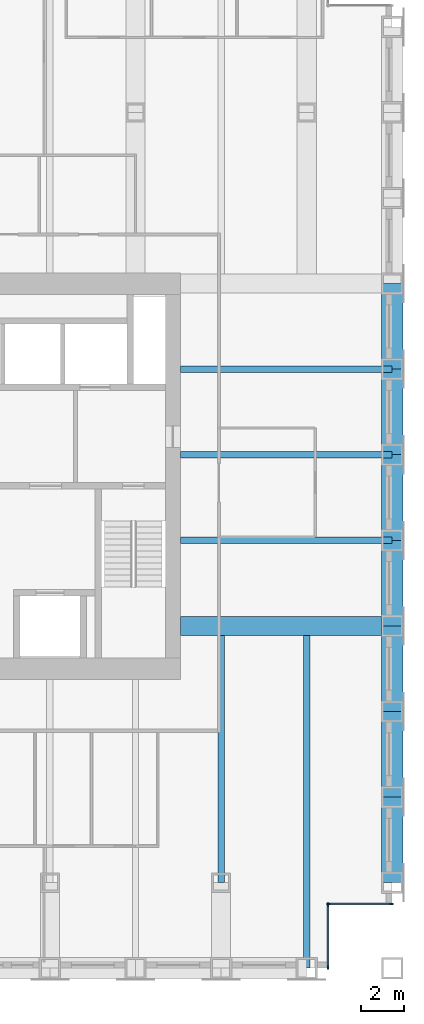
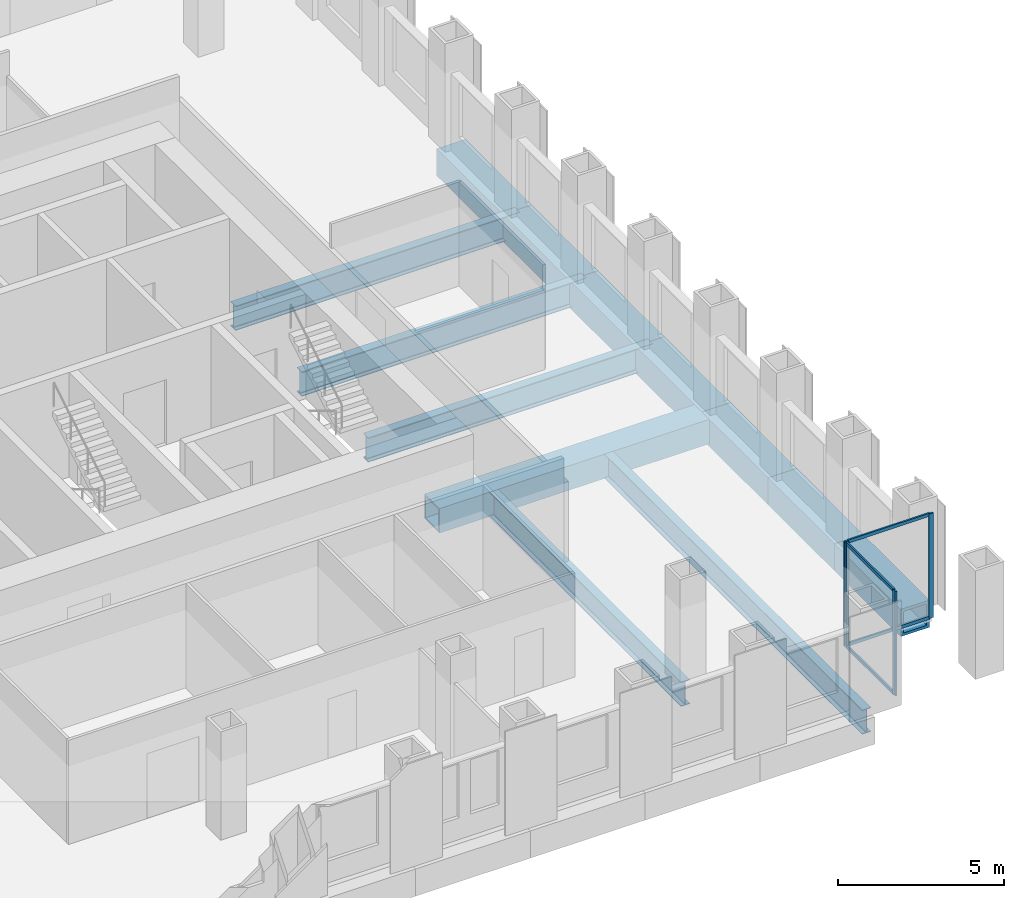
# One storey, part 4 of 12: 13 beams, 8 members, 2 elements without a shape of their own.
"""IFC4 building model written with IfcOpenShell, lengths in metres."""

from ifc_helpers import new_model, si_unit, direction, frame, origin, origin_2d, place, context, subcontext, project, spatial, rectangle, hollow_rectangle, i_section, extrude, material, material_profile, profile_set, type_object, element, aggregate, save


model = new_model("IFC4")

# Units and contexts
model_context = context("Model", 3, precision=1e-05, world=origin(), true_north=direction((0.0, 1.0)))
body_context = subcontext(model_context, "Body", "Model", "MODEL_VIEW")
ifc_project = project(units=[si_unit("LENGTHUNIT", "METRE"), si_unit("AREAUNIT", "SQUARE_METRE"), si_unit("VOLUMEUNIT", "CUBIC_METRE"), si_unit("PLANEANGLEUNIT", "RADIAN"), si_unit("MASSUNIT", "GRAM", prefix="KILO")], contexts=[model_context])

# Site, building, storey
site_placement = place(None, origin())
site = spatial("IfcSite", under=ifc_project, at=site_placement, CompositionType="ELEMENT")
building_placement = place(site_placement, origin())
building = spatial("IfcBuilding", under=site, at=building_placement, Name="Rimbunsela Tower", CompositionType="ELEMENT")
storey_placement = place(building_placement, frame((0.0, 0.0, 159.800048828125)))
storey = spatial("IfcBuildingStorey", under=building, at=storey_placement, Name="L38", CompositionType="ELEMENT", Elevation=159.800048828125)

# Beams
ifc_material_1 = material(Name="Steel BJ 55 (fy 410 MPa)", Category="steel")
ifc_material_profile_1 = material_profile(ifc_material_1, hollow_rectangle(XDim=1.0, YDim=1.0, WallThickness=0.10009765625, at=origin_2d()), Name="BOX 1000x1000x100")
ifc_profile_set_1 = profile_set([ifc_material_profile_1], Name="Steel BJ 55 (fy 410 MPa)")
beam_type_1 = type_object("IfcBeamType", Name="Beam BOX 1000x1000x100", PredefinedType="BEAM", material=ifc_profile_set_1)
for number, where, z_axis, x_axis, name in (
    (1, (46.0, 8.0, -0.650146484375), (0.0, 1.0, 0.0), (-1.0, 0.0, 0.0), "Beam B3 L38"),
    (2, (46.0, 12.0, -0.650146484375), (0.0, 1.0, 0.0), (-1.0, 0.0, 0.0), "Beam B3 L38"),
    (3, (46.0, 16.0, -0.650146484375), (0.0, 1.0, 0.0), (-1.0, 0.0, 0.0), "Beam B3 L38"),
    (4, (46.0, 20.0, -0.650146484375), (0.0, 1.0, 0.0), (-1.0, 0.0, 0.0), "Beam B3 L38"),
    (5, (46.0, 24.0, -0.650146484375), (0.0, 1.0, 0.0), (-1.0, 0.0, 0.0), "Beam B3 L38"),
    (6, (46.0, 28.0, -0.650146484375), (0.0, 1.0, 0.0), (-1.0, 0.0, 0.0), "Beam B3 L38"),
    (7, (46.0, 32.0, -0.650146484375), (0.0, 1.0, 0.0), (-1.0, 0.0, 0.0), "Beam B3 L38"),
):
    element("IfcBeam", number, at=place(storey_placement, frame(where, z_axis=z_axis, x_axis=x_axis)), inside=storey, type_object=beam_type_1, Name=name, PredefinedType="BEAM", context=body_context, shape_type="SweptSolid", body=[
        extrude(hollow_rectangle(XDim=1.0, YDim=1.0, WallThickness=0.10009765625, at=origin_2d()), origin(), (0.0, 0.0, 1.0), 4.0),
    ])
ifc_material_2 = material(Name="Steel BJ 55 (fy 410 MPa)", Category="steel")
ifc_material_profile_2 = material_profile(ifc_material_2, hollow_rectangle(XDim=0.89990234375, YDim=0.89990234375, WallThickness=0.06005859375, at=origin_2d()), Name="BOX 900x900x60")
ifc_profile_set_2 = profile_set([ifc_material_profile_2], Name="Steel BJ 55 (fy 410 MPa)")
beam_type_2 = type_object("IfcBeamType", Name="Beam BOX 900x900x60", PredefinedType="BEAM", material=ifc_profile_set_2)
beam_1_placement = place(storey_placement, frame((36.10009765625, 20.0, -0.60009765625), z_axis=(1.0, 0.0, 0.0), x_axis=(0.0, 1.0, 0.0)))
element("IfcBeam", 8, at=beam_1_placement, inside=storey, type_object=beam_type_2, Name="Beam B1 L38", PredefinedType="BEAM", context=body_context, shape_type="SweptSolid", body=[
    extrude(hollow_rectangle(XDim=0.89990234375, YDim=0.89990234375, WallThickness=0.06005859375, at=origin_2d()), origin(), (0.0, 0.0, 1.0), 9.89990234375),
])
ifc_material_3 = material(Name="Steel BJ 55 (fy 410 MPa)", Category="steel")
ifc_material_profile_3 = material_profile(ifc_material_3, i_section(OverallWidth=0.300048828125, OverallDepth=0.89990234375, WebThickness=0.01611328125, FlangeThickness=0.028076171875, FilletRadius=0.028076171875, at=origin_2d()), Name="H 900x300x16x28")
ifc_profile_set_3 = profile_set([ifc_material_profile_3], Name="Steel BJ 55 (fy 410 MPa)")
beam_type_3 = type_object("IfcBeamType", Name="Beam H 900x300x16x28", PredefinedType="BEAM", material=ifc_profile_set_3)
for number, where, z_axis, x_axis, name in (
    (9, (36.10009765625, 24.0, -0.60009765625), (1.0, 0.0, 0.0), (0.0, 1.0, 0.0), "Beam B2 L38"),
    (10, (36.10009765625, 28.0, -0.60009765625), (1.0, 0.0, 0.0), (0.0, 1.0, 0.0), "Beam B2 L38"),
    (11, (36.10009765625, 32.0, -0.60009765625), (1.0, 0.0, 0.0), (0.0, 1.0, 0.0), "Beam B2 L38"),
):
    element("IfcBeam", number, at=place(storey_placement, frame(where, z_axis=z_axis, x_axis=x_axis)), inside=storey, type_object=beam_type_3, Name=name, PredefinedType="BEAM", context=body_context, shape_type="SweptSolid", body=[
        extrude(i_section(OverallWidth=0.300048828125, OverallDepth=0.89990234375, WebThickness=0.01611328125, FlangeThickness=0.028076171875, FilletRadius=0.028076171875, at=origin_2d()), origin(), (0.0, 0.0, 1.0), 9.89990234375),
    ])
beam_2_placement = place(storey_placement, frame((38.0, 8.0, -0.60009765625), z_axis=(0.0, 1.0, 0.0), x_axis=(-1.0, 0.0, 0.0)))
element("IfcBeam", 12, at=beam_2_placement, inside=storey, type_object=beam_type_3, Name="Beam B2 L38", PredefinedType="BEAM", context=body_context, shape_type="SweptSolid", body=[
    extrude(i_section(OverallWidth=0.300048828125, OverallDepth=0.89990234375, WebThickness=0.01611328125, FlangeThickness=0.028076171875, FilletRadius=0.028076171875, at=origin_2d()), origin(), (0.0, 0.0, 1.0), 11.550048828125),
])
beam_3_placement = place(storey_placement, frame((42.0, 4.0, -0.60009765625), z_axis=(0.0, 1.0, 0.0), x_axis=(-1.0, 0.0, 0.0)))
element("IfcBeam", 13, at=beam_3_placement, inside=storey, type_object=beam_type_3, Name="Beam B2 L38", PredefinedType="BEAM", context=body_context, shape_type="SweptSolid", body=[
    extrude(i_section(OverallWidth=0.300048828125, OverallDepth=0.89990234375, WebThickness=0.01611328125, FlangeThickness=0.028076171875, FilletRadius=0.028076171875, at=origin_2d()), origin(), (0.0, 0.0, 1.0), 15.550048828125),
])

# Curtain wall, members
ifc_material_4 = material(Name="Aluminium curtain wall", Category="aluminium")
curtain_wall_type = type_object("IfcCurtainWallType", Name="Corner glazing", PredefinedType="USERDEFINED", material=ifc_material_4)
curtain_wall_1_placement = place(storey_placement, origin())
curtain_wall_1 = element("IfcCurtainWall", 14, at=curtain_wall_1_placement, inside=storey, type_object=curtain_wall_type, Name="Corner glazing L38", ObjectType="CORNER GLAZING", PredefinedType="USERDEFINED")
ifc_material_5 = material(Name="Aluminium mullion", Category="aluminium")
ifc_material_profile_4 = material_profile(ifc_material_5, rectangle(XDim=0.06005859375, YDim=0.159912109375, at=origin_2d()), Name="Mullion 60x160")
ifc_profile_set_4 = profile_set([ifc_material_profile_4], Name="Aluminium mullion")
member_type_1 = type_object("IfcMemberType", Name="Curtain wall mullion 60x160", PredefinedType="MULLION", material=ifc_profile_set_4)
member_1_placement = place(storey_placement, frame((43.0, 4.030029296875, 0.0), z_axis=(0.0, 0.0, 1.0), x_axis=(-1.0, 0.0, 0.0)))
member_1 = element("IfcMember", 15, at=member_1_placement, type_object=member_type_1, Name="CW5 mullion 1", PredefinedType="MULLION", context=body_context, shape_type="SweptSolid", body=[
    extrude(rectangle(XDim=0.06005859375, YDim=0.159912109375, at=origin_2d()), origin(), (0.0, 0.0, 1.0), 3.849853515625),
])
member_2_placement = place(storey_placement, frame((43.0, 6.969970703125, 0.0), z_axis=(0.0, 0.0, 1.0), x_axis=(-1.0, 0.0, 0.0)))
member_2 = element("IfcMember", 16, at=member_2_placement, type_object=member_type_1, Name="CW5 mullion 2", PredefinedType="MULLION", context=body_context, shape_type="SweptSolid", body=[
    extrude(rectangle(XDim=0.06005859375, YDim=0.159912109375, at=origin_2d()), origin(), (0.0, 0.0, 1.0), 3.849853515625),
])

curtain_wall_2_placement = place(storey_placement, origin())
curtain_wall_2 = element("IfcCurtainWall", 17, at=curtain_wall_2_placement, inside=storey, type_object=curtain_wall_type, Name="Corner glazing L38", ObjectType="CORNER GLAZING", PredefinedType="USERDEFINED")
member_3_placement = place(storey_placement, frame((43.030029296875, 7.0, 0.0), z_axis=(0.0, 0.0, 1.0), x_axis=(0.0, 1.0, 0.0)))
member_3 = element("IfcMember", 18, at=member_3_placement, type_object=member_type_1, Name="CW5 mullion 1", PredefinedType="MULLION", context=body_context, shape_type="SweptSolid", body=[
    extrude(rectangle(XDim=0.06005859375, YDim=0.159912109375, at=origin_2d()), origin(), (0.0, 0.0, 1.0), 3.849853515625),
])
member_4_placement = place(storey_placement, frame((45.969970703125, 7.0, 0.0), z_axis=(0.0, 0.0, 1.0), x_axis=(0.0, 1.0, 0.0)))
member_4 = element("IfcMember", 19, at=member_4_placement, type_object=member_type_1, Name="CW5 mullion 2", PredefinedType="MULLION", context=body_context, shape_type="SweptSolid", body=[
    extrude(rectangle(XDim=0.06005859375, YDim=0.159912109375, at=origin_2d()), origin(), (0.0, 0.0, 1.0), 3.849853515625),
])

# Member
ifc_material_6 = material(Name="Aluminium transom", Category="aluminium")
ifc_material_profile_5 = material_profile(ifc_material_6, rectangle(XDim=0.06005859375, YDim=0.1201171875, at=origin_2d()), Name="Transom 60x120")
ifc_profile_set_5 = profile_set([ifc_material_profile_5], Name="Aluminium transom")
member_type_2 = type_object("IfcMemberType", Name="Curtain wall transom 60x120", PredefinedType="USERDEFINED", material=ifc_profile_set_5)
member_5_placement = place(storey_placement, frame((43.0, 4.06005859375, 0.030029296875), z_axis=(0.0, 1.0, 0.0), x_axis=(-1.0, 0.0, 0.0)))
member_5 = element("IfcMember", 20, at=member_5_placement, type_object=member_type_2, Name="CW5 transom 1.1", ObjectType="TRANSOM", PredefinedType="USERDEFINED", context=body_context, shape_type="SweptSolid", body=[
    extrude(rectangle(XDim=0.06005859375, YDim=0.1201171875, at=origin_2d()), origin(), (0.0, 0.0, 1.0), 2.8798828125),
])

member_6_placement = place(storey_placement, frame((43.0, 4.06005859375, 3.820068359375), z_axis=(0.0, 1.0, 0.0), x_axis=(-1.0, 0.0, 0.0)))
member_6 = element("IfcMember", 21, at=member_6_placement, type_object=member_type_2, Name="CW5 transom 1.2", ObjectType="TRANSOM", PredefinedType="USERDEFINED", context=body_context, shape_type="SweptSolid", body=[
    extrude(rectangle(XDim=0.06005859375, YDim=0.1201171875, at=origin_2d()), origin(), (0.0, 0.0, 1.0), 2.8798828125),
])

aggregate(curtain_wall_1, [member_1, member_2, member_5, member_6])

member_7_placement = place(storey_placement, frame((43.06005859375, 7.0, 0.030029296875), z_axis=(1.0, 0.0, 0.0), x_axis=(0.0, 1.0, 0.0)))
member_7 = element("IfcMember", 22, at=member_7_placement, type_object=member_type_2, Name="CW5 transom 1.1", ObjectType="TRANSOM", PredefinedType="USERDEFINED", context=body_context, shape_type="SweptSolid", body=[
    extrude(rectangle(XDim=0.06005859375, YDim=0.1201171875, at=origin_2d()), origin(), (0.0, 0.0, 1.0), 2.8798828125),
])

member_8_placement = place(storey_placement, frame((43.06005859375, 7.0, 3.820068359375), z_axis=(1.0, 0.0, 0.0), x_axis=(0.0, 1.0, 0.0)))
member_8 = element("IfcMember", 23, at=member_8_placement, type_object=member_type_2, Name="CW5 transom 1.2", ObjectType="TRANSOM", PredefinedType="USERDEFINED", context=body_context, shape_type="SweptSolid", body=[
    extrude(rectangle(XDim=0.06005859375, YDim=0.1201171875, at=origin_2d()), origin(), (0.0, 0.0, 1.0), 2.8798828125),
])

aggregate(curtain_wall_2, [member_3, member_4, member_7, member_8])

save(model, "model.ifc")
